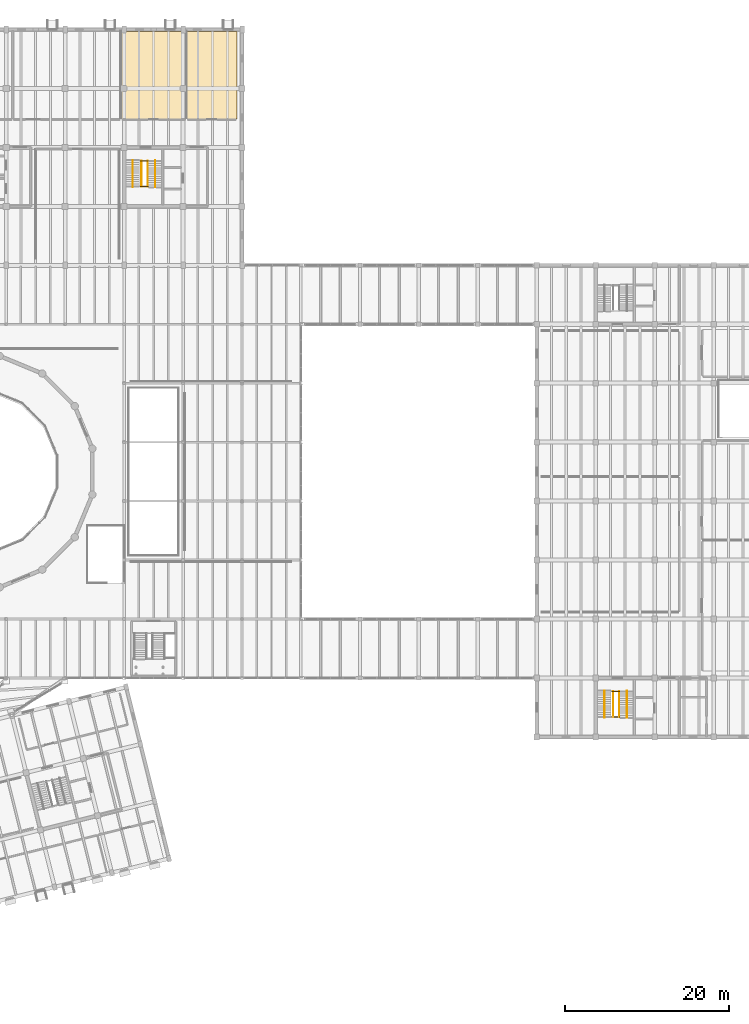
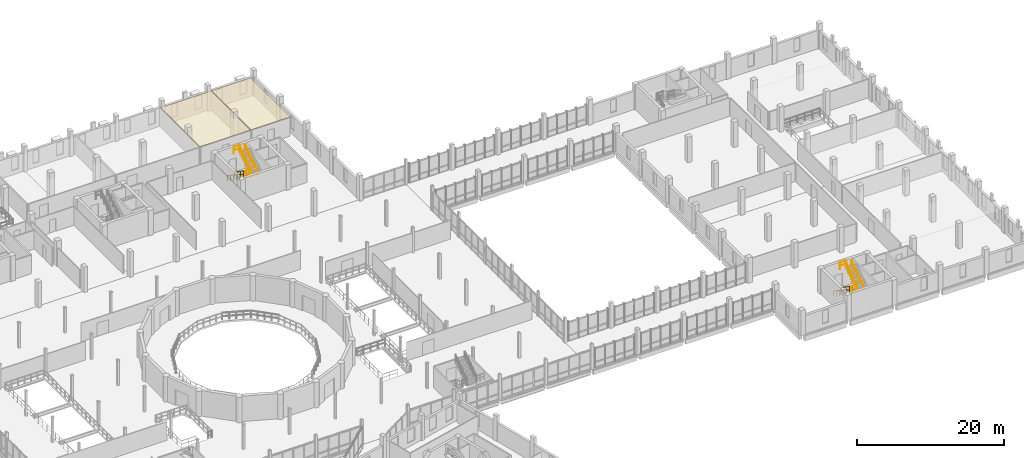
# One storey, part 71 of 72: 12 railings, 2 coverings.
"""IFC4 building model written with IfcOpenShell, lengths in metres."""

import ifcopenshell
import ifcopenshell.guid

model = None  # the IFC model being written
_history = None  # IfcOwnerHistory: only IFC2X3 demands one
_inside = {}  # id of a spatial element -> (the spatial element, [elements in it])
_under = {}  # id of a project, library or spatial element -> (it, [spatial elements below it])
_declared = {}  # id of a project -> (the project, [libraries it declares])
_typed = {}  # id of a type object -> (the type object, [elements of that type])
_made_of = {}  # id of a material, layer set ... -> (it, [elements and type objects made of it])


def new_model(schema):
    """Start an empty IFC model of exactly this schema.

    Asked for "IFC4X3", IfcOpenShell would pick the latest addendum, in which some entities
    have other attributes; the version numbers below select the first issue.
    IFC2X3 requires an IfcOwnerHistory on every rooted entity: one is made here for all.
    """
    global model, _history
    if schema == "IFC4X3":
        model = ifcopenshell.file(schema_version=(4, 3, 0, 0))
    else:
        model = ifcopenshell.file(schema=schema)
    _inside.clear()
    _under.clear()
    _declared.clear()
    _typed.clear()
    _made_of.clear()
    _history = None
    if model.schema == "IFC2X3":
        org = make("IfcOrganization", Name="unknown")
        user = make(
            "IfcPersonAndOrganization",
            ThePerson=make("IfcPerson", FamilyName="unknown"),
            TheOrganization=org,
        )
        app = make(
            "IfcApplication",
            ApplicationDeveloper=org,
            Version="unknown",
            ApplicationFullName="unknown",
            ApplicationIdentifier="unknown",
        )
        _history = make(
            "IfcOwnerHistory",
            OwningUser=user,
            OwningApplication=app,
            ChangeAction="ADDED",
            CreationDate=0,
        )
    return model


def make(cls, **values):
    """One entity of the class cls with the attributes given. An attribute that is None is left unset."""
    return model.create_entity(
        cls, **{name: value for name, value in values.items() if value is not None}
    )


def rooted(cls, **values):
    """An entity with a GlobalId (a new one), such as an element, a storey or a relation."""
    return make(cls, GlobalId=ifcopenshell.guid.new(), OwnerHistory=_history, **values)


def si_unit(unit_type, name, prefix=None):
    """IfcSIUnit, for example si_unit("LENGTHUNIT", "METRE", prefix="MILLI")."""
    return make("IfcSIUnit", UnitType=unit_type, Prefix=prefix, Name=name)


def assignment(units):
    """IfcUnitAssignment: the units of a project."""
    return None if units is None else make("IfcUnitAssignment", Units=units)


def point(xyz):
    """IfcCartesianPoint."""
    return None if xyz is None else make("IfcCartesianPoint", Coordinates=xyz)


def direction(xyz):
    """IfcDirection."""
    return None if xyz is None else make("IfcDirection", DirectionRatios=xyz)


def frame(location, z_axis=None, x_axis=None):
    """IfcAxis2Placement3D, a coordinate frame: its origin and axes. An axis left out is left unset."""
    return make(
        "IfcAxis2Placement3D",
        Location=point(location),
        Axis=direction(z_axis),
        RefDirection=direction(x_axis),
    )


def frame_2d(location, x_axis=None):
    """IfcAxis2Placement2D, a coordinate frame in the plane: its origin and x axis."""
    return make(
        "IfcAxis2Placement2D", Location=point(location), RefDirection=direction(x_axis)
    )


def origin():
    """The frame at (0, 0, 0) with its axes left unset."""
    return frame((0.0, 0.0, 0.0))


def origin_2d():
    """The frame at (0, 0) in the plane with its x axis left unset."""
    return frame_2d((0.0, 0.0))


def place(relative_to, where):
    """IfcLocalPlacement: puts the frame where relative to a parent placement (None: the world)."""
    return make(
        "IfcLocalPlacement", PlacementRelTo=relative_to, RelativePlacement=where
    )


def context(
    kind, dimensions, precision=None, world=None, true_north=None, identifier=None
):
    """IfcGeometricRepresentationContext, for example the 3D "Model" context."""
    return make(
        "IfcGeometricRepresentationContext",
        ContextIdentifier=identifier,
        ContextType=kind,
        CoordinateSpaceDimension=dimensions,
        Precision=precision,
        WorldCoordinateSystem=world,
        TrueNorth=true_north,
    )


def subcontext(parent, identifier, kind, view, scale=None):
    """IfcGeometricRepresentationSubContext, for example "Body" below "Model"."""
    return make(
        "IfcGeometricRepresentationSubContext",
        ContextIdentifier=identifier,
        ContextType=kind,
        ParentContext=parent,
        TargetScale=scale,
        TargetView=view,
    )


def project(units=None, contexts=None):
    """IfcProject with its units and contexts."""
    return rooted(
        "IfcProject",
        Name="project",
        RepresentationContexts=contexts,
        UnitsInContext=assignment(units),
    )


def spatial(cls, under=None, at=None, **own):
    """A site, building, storey or space (cls), placed at a placement, below another one or the project."""
    s = rooted(cls, ObjectPlacement=at, **own)
    if under is not None:
        _under.setdefault(under.id(), (under, []))[1].append(s)
    return s


def polyline(points):
    """IfcPolyline through the points."""
    return make("IfcPolyline", Points=[point(p) for p in points])


def profile(cls, at=None, kind="AREA", **sizes):
    """A parametric profile (cls). Its sizes go by their IFC names, for example OverallWidth=200.0."""
    return make(cls, ProfileType=kind, Position=at, **sizes)


def circle(**sizes):
    """IfcCircleProfileDef."""
    return profile("IfcCircleProfileDef", **sizes)


def outline(outer, holes=None, kind="AREA"):
    """IfcArbitraryClosedProfileDef: a profile drawn as a closed curve; with holes, ...WithVoids."""
    if holes is None:
        return make("IfcArbitraryClosedProfileDef", ProfileType=kind, OuterCurve=outer)
    return make(
        "IfcArbitraryProfileDefWithVoids",
        ProfileType=kind,
        OuterCurve=outer,
        InnerCurves=holes,
    )


def extrude(swept, where, along, depth):
    """IfcExtrudedAreaSolid: the profile swept, set in the frame where, extruded along a direction by depth."""
    return make(
        "IfcExtrudedAreaSolid",
        SweptArea=swept,
        Position=where,
        ExtrudedDirection=direction(along),
        Depth=depth,
    )


def shape(context_of_items, identifier, shape_type, items):
    """IfcShapeRepresentation: the items that make up one representation, for example the "Body"."""
    return make(
        "IfcShapeRepresentation",
        ContextOfItems=context_of_items,
        RepresentationIdentifier=identifier,
        RepresentationType=shape_type,
        Items=items,
    )


def material(Name=None, Category=None):
    """IfcMaterial."""
    return make("IfcMaterial", Name=Name, Category=Category)


def layer(
    of_material, thickness, ventilated=None, Name=None, Category=None, Priority=None
):
    """IfcMaterialLayer: one layer of a wall or slab, of a material (None: an air gap)."""
    return make(
        "IfcMaterialLayer",
        Material=of_material,
        LayerThickness=thickness,
        IsVentilated=ventilated,
        Name=Name,
        Category=Category,
        Priority=Priority,
    )


def layer_set(layers, Name=None):
    """IfcMaterialLayerSet."""
    return make("IfcMaterialLayerSet", MaterialLayers=layers, LayerSetName=Name)


def made_of(thing, what):
    """Note that an element or type object is made of a material, layer set ...; save() writes the relation."""
    if what is not None:
        _made_of.setdefault(what.id(), (what, []))[1].append(thing)
    return thing


def type_object(cls, material=None, **own):
    """A type object (cls), such as IfcWallType, which elements share."""
    return made_of(rooted(cls, **own), material)


def element(
    cls,
    number,
    at=None,
    inside=None,
    cuts=None,
    type_object=None,
    material=None,
    context=None,
    identifier="Body",
    shape_type=None,
    held_by="IfcProductDefinitionShape",
    body=None,
    shapes=None,
    **own,
):
    """One element of the class cls, such as IfcWall. Its Tag is "e" and its number.

    at: its placement. inside: the storey or other place that contains it. cuts: it is an
    opening in that element (IfcRelVoidsElement). A single representation is given by context,
    identifier, shape_type and body (its items); several are given by shapes. held_by: the class
    of the entity that holds the representations. save() writes the other relations.
    """
    e = rooted(cls, Tag="e%d" % number, ObjectPlacement=at, **own)
    if body is not None:
        shapes = [shape(context, identifier, shape_type, body)]
    if shapes is not None:
        e.Representation = make(held_by, Representations=shapes)
    if inside is not None:
        _inside.setdefault(inside.id(), (inside, []))[1].append(e)
    if cuts is not None:
        rooted(
            "IfcRelVoidsElement", RelatingBuildingElement=cuts, RelatedOpeningElement=e
        )
    if type_object is not None:
        _typed.setdefault(type_object.id(), (type_object, []))[1].append(e)
    return made_of(e, material)


def aggregate(whole, parts):
    """IfcRelAggregates: a whole, such as a stair, and the parts it consists of."""
    return rooted("IfcRelAggregates", RelatingObject=whole, RelatedObjects=parts)


def save(model, path):
    """Write the relations noted so far, then the file.

    IfcRelAggregates (storeys below a building ...), IfcRelContainedInSpatialStructure (elements
    in a storey), IfcRelDefinesByType, IfcRelAssociatesMaterial and IfcRelDeclares: one each for
    every whole, place, type object, material and project.
    """
    for whole, parts in _under.values():
        aggregate(whole, parts)
    for where, things in _inside.values():
        rooted(
            "IfcRelContainedInSpatialStructure",
            RelatedElements=things,
            RelatingStructure=where,
        )
    for kind, things in _typed.values():
        rooted("IfcRelDefinesByType", RelatedObjects=things, RelatingType=kind)
    for what, things in _made_of.values():
        rooted("IfcRelAssociatesMaterial", RelatedObjects=things, RelatingMaterial=what)
    for by, libraries in _declared.values():
        rooted("IfcRelDeclares", RelatingContext=by, RelatedDefinitions=libraries)
    model.write(path)


model = new_model("IFC4")

# Units and contexts
model_context = context("Model", 3, precision=1e-05, world=origin(), true_north=direction((0.0, 1.0)))
body_context = subcontext(model_context, "Body", "Model", "MODEL_VIEW")
ifc_project = project(units=[si_unit("LENGTHUNIT", "METRE"), si_unit("AREAUNIT", "SQUARE_METRE"), si_unit("VOLUMEUNIT", "CUBIC_METRE"), si_unit("PLANEANGLEUNIT", "RADIAN"), si_unit("MASSUNIT", "GRAM", prefix="KILO")], contexts=[model_context])

# Site, building, storey
site_placement = place(None, origin())
site = spatial("IfcSite", under=ifc_project, at=site_placement, CompositionType="ELEMENT")
building_placement = place(site_placement, origin())
building = spatial("IfcBuilding", under=site, at=building_placement, Name="Qiaolan Assembly House", CompositionType="ELEMENT")
storey_placement = place(building_placement, frame((0.0, 0.0, 10.199951171875)))
storey = spatial("IfcBuildingStorey", under=building, at=storey_placement, Name="L02", CompositionType="ELEMENT", Elevation=10.199951171875)

# Coverings
ifc_material_1 = material(Name="Gypsum plasterboard acoustic ceiling")
ifc_layer = layer(ifc_material_1, 0.044921875)
ifc_layer_set = layer_set([ifc_layer], Name="Gypsum plasterboard acoustic ceiling")
covering_type = type_object("IfcCoveringType", Name="COV-CEIL-ACOUSTIC", PredefinedType="CEILING", material=ifc_layer_set)
covering_1_placement = place(storey_placement, frame((0.0, 0.0, 3.03515625)))
element("IfcCovering", 1, at=covering_1_placement, inside=storey, type_object=covering_type, Name="Suspended ceiling Civic Policy Research & Analytics Studio", PredefinedType="CEILING", context=body_context, shape_type="SweptSolid", body=[
    extrude(outline(polyline([(86.0400390625, 104.239990234375), (93.9599609375, 104.239990234375), (93.9599609375, 114.949951171875), (86.0400390625, 114.949951171875), (86.0400390625, 104.239990234375)])), origin(), (0.0, 0.0, 1.0), 0.044921875),
])
covering_2_placement = place(storey_placement, frame((0.0, 0.0, 3.03515625)))
element("IfcCovering", 2, at=covering_2_placement, inside=storey, type_object=covering_type, Name="Suspended ceiling Members Briefing Pantry & Tea Room", PredefinedType="CEILING", context=body_context, shape_type="SweptSolid", body=[
    extrude(outline(polyline([(94.0400390625, 104.239990234375), (100.159912109375, 104.239990234375), (100.159912109375, 114.949951171875), (94.0400390625, 114.949951171875), (94.0400390625, 104.239990234375)])), origin(), (0.0, 0.0, 1.0), 0.044921875),
])

# Railings
ifc_material_2 = material(Name="Anodised bronze aluminium", Category="aluminium")
railing_type_1 = type_object("IfcRailingType", Name="RAL-GUARD-STAIRWELL-1150", PredefinedType="GUARDRAIL", material=ifc_material_2)
railing_1_placement = place(storey_placement, frame((88.5400390625, 99.14990234375, 0.0)))
element("IfcRailing", 3, at=railing_1_placement, inside=storey, type_object=railing_type_1, Name="GR-01 stair inner-well guard FLT-CORE-G-L02-1", PredefinedType="GUARDRAIL", context=body_context, shape_type="SweptSolid", body=[
    extrude(circle(Radius=0.02392578125, at=origin_2d()), frame((0.0, 0.0, 1.1259765625), z_axis=(0.0, -0.829565193945, 0.558409875445), x_axis=(1.0, 0.0, 0.0)), (0.0, 0.0, 1.0), 3.7607421875),
    extrude(circle(Radius=0.01611328125, at=origin_2d()), frame((0.0, 0.0, 0.574951171875), z_axis=(0.0, -0.829565193945, 0.558409875445), x_axis=(1.0, 0.0, 0.0)), (0.0, 0.0, 1.0), 3.7607421875),
    extrude(circle(Radius=0.02099609375, at=origin_2d()), origin(), (0.0, 0.0, 1.0), 1.101806640625),
    extrude(circle(Radius=0.02099609375, at=origin_2d()), frame((0.0, -0.780029296875, 0.52490234375)), (0.0, 0.0, 1.0), 1.101806640625),
    extrude(circle(Radius=0.02099609375, at=origin_2d()), frame((0.0, -1.56005859375, 1.050048828125)), (0.0, 0.0, 1.0), 1.101806640625),
    extrude(circle(Radius=0.02099609375, at=origin_2d()), frame((0.0, -2.33984375, 1.5751953125)), (0.0, 0.0, 1.0), 1.101806640625),
    extrude(circle(Radius=0.02099609375, at=origin_2d()), frame((0.0, -3.119873046875, 2.10009765625)), (0.0, 0.0, 1.0), 1.101806640625),
])
railing_2_placement = place(storey_placement, frame((89.280029296875, 96.030029296875, 2.10009765625)))
element("IfcRailing", 4, at=railing_2_placement, inside=storey, type_object=railing_type_1, Name="GR-01 stair inner-well guard FLT-CORE-G-L02-2", PredefinedType="GUARDRAIL", context=body_context, shape_type="SweptSolid", body=[
    extrude(circle(Radius=0.02392578125, at=origin_2d()), frame((0.0, 0.0, 1.1259765625), z_axis=(0.0, 0.829595265483, 0.558365199031), x_axis=(-1.0, 0.0, 0.0)), (0.0, 0.0, 1.0), 3.7607421875),
    extrude(circle(Radius=0.01611328125, at=origin_2d()), frame((0.0, 0.0, 0.574951171875), z_axis=(0.0, 0.829595265483, 0.558365199031), x_axis=(-1.0, 0.0, 0.0)), (0.0, 0.0, 1.0), 3.7607421875),
    extrude(circle(Radius=0.02099609375, at=origin_2d()), origin(), (0.0, 0.0, 1.0), 1.101806640625),
    extrude(circle(Radius=0.02099609375, at=origin_2d()), frame((0.0, 0.780029296875, 0.52490234375)), (0.0, 0.0, 1.0), 1.101806640625),
    extrude(circle(Radius=0.02099609375, at=origin_2d()), frame((0.0, 1.56005859375, 1.0498046875)), (0.0, 0.0, 1.0), 1.101806640625),
    extrude(circle(Radius=0.02099609375, at=origin_2d()), frame((0.0, 2.33984375, 1.574951171875)), (0.0, 0.0, 1.0), 1.101806640625),
    extrude(circle(Radius=0.02099609375, at=origin_2d()), frame((0.0, 3.119873046875, 2.099853515625)), (0.0, 0.0, 1.0), 1.101806640625),
])
for number, where, name in (
    (5, (88.3798828125, 96.030029296875, 2.10009765625), "GR-01 stairwell landing guard CORE-G L02-1"),
    (6, (88.3798828125, 99.14990234375, 4.199951171875), "GR-01 stairwell landing guard CORE-G L02-2"),
):
    element("IfcRailing", number, at=place(storey_placement, frame(where)), inside=storey, type_object=railing_type_1, Name=name, PredefinedType="GUARDRAIL", context=body_context, shape_type="SweptSolid", body=[
        extrude(circle(Radius=0.02392578125, at=origin_2d()), frame((0.0, 0.0, 1.1259765625), z_axis=(1.0, 0.0, 0.0), x_axis=(0.0, 1.0, 0.0)), (0.0, 0.0, 1.0), 0.920166015625),
        extrude(circle(Radius=0.01611328125, at=origin_2d()), frame((0.0, 0.0, 0.574951171875), z_axis=(1.0, 0.0, 0.0), x_axis=(0.0, 1.0, 0.0)), (0.0, 0.0, 1.0), 0.920166015625),
        extrude(circle(Radius=0.02099609375, at=origin_2d()), origin(), (0.0, 0.0, 1.0), 1.101806640625),
        extrude(circle(Radius=0.02099609375, at=origin_2d()), frame((0.920166015625, 0.0, 0.0)), (0.0, 0.0, 1.0), 1.101806640625),
    ])
railing_3_placement = place(storey_placement, frame((146.139892578125, 34.35009765625, 0.0)))
element("IfcRailing", 7, at=railing_3_placement, inside=storey, type_object=railing_type_1, Name="GR-01 stair inner-well guard FLT-CORE-E-L02-1", PredefinedType="GUARDRAIL", context=body_context, shape_type="SweptSolid", body=[
    extrude(circle(Radius=0.02392578125, at=origin_2d()), frame((0.0, 0.0, 1.1259765625), z_axis=(0.0, -0.829585434609, 0.558379805047), x_axis=(1.0, 0.0, 0.0)), (0.0, 0.0, 1.0), 3.760986328125),
    extrude(circle(Radius=0.01611328125, at=origin_2d()), frame((0.0, 0.0, 0.574951171875), z_axis=(0.0, -0.829585434609, 0.558379805047), x_axis=(1.0, 0.0, 0.0)), (0.0, 0.0, 1.0), 3.760986328125),
    extrude(circle(Radius=0.02099609375, at=origin_2d()), origin(), (0.0, 0.0, 1.0), 1.101806640625),
    extrude(circle(Radius=0.02099609375, at=origin_2d()), frame((0.0, -0.780029296875, 0.52490234375)), (0.0, 0.0, 1.0), 1.101806640625),
    extrude(circle(Radius=0.02099609375, at=origin_2d()), frame((0.0, -1.56005859375, 1.050048828125)), (0.0, 0.0, 1.0), 1.101806640625),
    extrude(circle(Radius=0.02099609375, at=origin_2d()), frame((0.0, -2.340087890625, 1.5751953125)), (0.0, 0.0, 1.0), 1.101806640625),
    extrude(circle(Radius=0.02099609375, at=origin_2d()), frame((0.0, -3.1201171875, 2.10009765625)), (0.0, 0.0, 1.0), 1.101806640625),
])
railing_4_placement = place(storey_placement, frame((146.8798828125, 31.22998046875, 2.10009765625)))
element("IfcRailing", 8, at=railing_4_placement, inside=storey, type_object=railing_type_1, Name="GR-01 stair inner-well guard FLT-CORE-E-L02-2", PredefinedType="GUARDRAIL", context=body_context, shape_type="SweptSolid", body=[
    extrude(circle(Radius=0.02392578125, at=origin_2d()), frame((0.0, 0.0, 1.1259765625), z_axis=(0.0, 0.829615503641, 0.558335128859), x_axis=(-1.0, 0.0, 0.0)), (0.0, 0.0, 1.0), 3.760986328125),
    extrude(circle(Radius=0.01611328125, at=origin_2d()), frame((0.0, 0.0, 0.574951171875), z_axis=(0.0, 0.829615503641, 0.558335128859), x_axis=(-1.0, 0.0, 0.0)), (0.0, 0.0, 1.0), 3.760986328125),
    extrude(circle(Radius=0.02099609375, at=origin_2d()), origin(), (0.0, 0.0, 1.0), 1.101806640625),
    extrude(circle(Radius=0.02099609375, at=origin_2d()), frame((0.0, 0.780029296875, 0.52490234375)), (0.0, 0.0, 1.0), 1.101806640625),
    extrude(circle(Radius=0.02099609375, at=origin_2d()), frame((0.0, 1.56005859375, 1.0498046875)), (0.0, 0.0, 1.0), 1.101806640625),
    extrude(circle(Radius=0.02099609375, at=origin_2d()), frame((0.0, 2.340087890625, 1.574951171875)), (0.0, 0.0, 1.0), 1.101806640625),
    extrude(circle(Radius=0.02099609375, at=origin_2d()), frame((0.0, 3.1201171875, 2.099853515625)), (0.0, 0.0, 1.0), 1.101806640625),
])
for number, where, name in (
    (9, (145.97998046875, 31.22998046875, 2.10009765625), "GR-01 stairwell landing guard CORE-E L02-1"),
    (10, (145.97998046875, 34.35009765625, 4.199951171875), "GR-01 stairwell landing guard CORE-E L02-2"),
):
    element("IfcRailing", number, at=place(storey_placement, frame(where)), inside=storey, type_object=railing_type_1, Name=name, PredefinedType="GUARDRAIL", context=body_context, shape_type="SweptSolid", body=[
        extrude(circle(Radius=0.02392578125, at=origin_2d()), frame((0.0, 0.0, 1.1259765625), z_axis=(1.0, 0.0, 0.0), x_axis=(0.0, 1.0, 0.0)), (0.0, 0.0, 1.0), 0.919921875),
        extrude(circle(Radius=0.01611328125, at=origin_2d()), frame((0.0, 0.0, 0.574951171875), z_axis=(1.0, 0.0, 0.0), x_axis=(0.0, 1.0, 0.0)), (0.0, 0.0, 1.0), 0.919921875),
        extrude(circle(Radius=0.02099609375, at=origin_2d()), origin(), (0.0, 0.0, 1.0), 1.101806640625),
        extrude(circle(Radius=0.02099609375, at=origin_2d()), frame((0.919921875, 0.0, 0.0)), (0.0, 0.0, 1.0), 1.101806640625),
    ])
railing_type_2 = type_object("IfcRailingType", Name="RAL-HANDRAIL-STAIR-920", PredefinedType="HANDRAIL", material=ifc_material_2)
railing_5_placement = place(storey_placement, frame((87.449951171875, 99.2099609375, 0.0)))
element("IfcRailing", 11, at=railing_5_placement, inside=storey, type_object=railing_type_2, Name="HR-01 stair handrail FLT-CORE-G-L02-1", PredefinedType="HANDRAIL", context=body_context, shape_type="SweptSolid", body=[
    extrude(circle(Radius=0.02392578125, at=origin_2d()), frame((0.0, 0.0, 0.89599609375), z_axis=(0.0, -0.839140694364, 0.543914418877), x_axis=(1.0, 0.0, 0.0)), (0.0, 0.0, 1.0), 3.861083984375),
    extrude(circle(Radius=0.02099609375, at=origin_2d()), origin(), (0.0, 0.0, 1.0), 0.871826171875),
    extrude(circle(Radius=0.02099609375, at=origin_2d()), frame((0.0, -0.81005859375, 0.52490234375)), (0.0, 0.0, 1.0), 0.871826171875),
    extrude(circle(Radius=0.02099609375, at=origin_2d()), frame((0.0, -1.6201171875, 1.050048828125)), (0.0, 0.0, 1.0), 0.871826171875),
    extrude(circle(Radius=0.02099609375, at=origin_2d()), frame((0.0, -2.429931640625, 1.5751953125)), (0.0, 0.0, 1.0), 0.871826171875),
    extrude(circle(Radius=0.02099609375, at=origin_2d()), frame((0.0, -3.239990234375, 2.10009765625)), (0.0, 0.0, 1.0), 0.871826171875),
])
railing_6_placement = place(storey_placement, frame((90.199951171875, 95.969970703125, 2.10009765625)))
element("IfcRailing", 12, at=railing_6_placement, inside=storey, type_object=railing_type_2, Name="HR-01 stair handrail FLT-CORE-G-L02-2", PredefinedType="HANDRAIL", context=body_context, shape_type="SweptSolid", body=[
    extrude(circle(Radius=0.02392578125, at=origin_2d()), frame((0.0, 0.0, 0.89599609375), z_axis=(0.0, 0.839169554186, 0.543869891911), x_axis=(-1.0, 0.0, 0.0)), (0.0, 0.0, 1.0), 3.86083984375),
    extrude(circle(Radius=0.02099609375, at=origin_2d()), origin(), (0.0, 0.0, 1.0), 0.871826171875),
    extrude(circle(Radius=0.02099609375, at=origin_2d()), frame((0.0, 0.81005859375, 0.52490234375)), (0.0, 0.0, 1.0), 0.871826171875),
    extrude(circle(Radius=0.02099609375, at=origin_2d()), frame((0.0, 1.6201171875, 1.0498046875)), (0.0, 0.0, 1.0), 0.871826171875),
    extrude(circle(Radius=0.02099609375, at=origin_2d()), frame((0.0, 2.429931640625, 1.574951171875)), (0.0, 0.0, 1.0), 0.871826171875),
    extrude(circle(Radius=0.02099609375, at=origin_2d()), frame((0.0, 3.239990234375, 2.099853515625)), (0.0, 0.0, 1.0), 0.871826171875),
])
railing_7_placement = place(storey_placement, frame((145.050048828125, 34.409912109375, 0.0)))
element("IfcRailing", 13, at=railing_7_placement, inside=storey, type_object=railing_type_2, Name="HR-01 stair handrail FLT-CORE-E-L02-1", PredefinedType="HANDRAIL", context=body_context, shape_type="SweptSolid", body=[
    extrude(circle(Radius=0.02392578125, at=origin_2d()), frame((0.0, 0.0, 0.89599609375), z_axis=(0.0, -0.839140694364, 0.543914418877), x_axis=(1.0, 0.0, 0.0)), (0.0, 0.0, 1.0), 3.861083984375),
    extrude(circle(Radius=0.02099609375, at=origin_2d()), origin(), (0.0, 0.0, 1.0), 0.871826171875),
    extrude(circle(Radius=0.02099609375, at=origin_2d()), frame((0.0, -0.81005859375, 0.52490234375)), (0.0, 0.0, 1.0), 0.871826171875),
    extrude(circle(Radius=0.02099609375, at=origin_2d()), frame((0.0, -1.6201171875, 1.050048828125)), (0.0, 0.0, 1.0), 0.871826171875),
    extrude(circle(Radius=0.02099609375, at=origin_2d()), frame((0.0, -2.429931640625, 1.5751953125)), (0.0, 0.0, 1.0), 0.871826171875),
    extrude(circle(Radius=0.02099609375, at=origin_2d()), frame((0.0, -3.239990234375, 2.10009765625)), (0.0, 0.0, 1.0), 0.871826171875),
])
railing_8_placement = place(storey_placement, frame((147.800048828125, 31.169921875, 2.10009765625)))
element("IfcRailing", 14, at=railing_8_placement, inside=storey, type_object=railing_type_2, Name="HR-01 stair handrail FLT-CORE-E-L02-2", PredefinedType="HANDRAIL", context=body_context, shape_type="SweptSolid", body=[
    extrude(circle(Radius=0.02392578125, at=origin_2d()), frame((0.0, 0.0, 0.89599609375), z_axis=(0.0, 0.839169554186, 0.543869891911), x_axis=(-1.0, 0.0, 0.0)), (0.0, 0.0, 1.0), 3.86083984375),
    extrude(circle(Radius=0.02099609375, at=origin_2d()), origin(), (0.0, 0.0, 1.0), 0.871826171875),
    extrude(circle(Radius=0.02099609375, at=origin_2d()), frame((0.0, 0.81005859375, 0.52490234375)), (0.0, 0.0, 1.0), 0.871826171875),
    extrude(circle(Radius=0.02099609375, at=origin_2d()), frame((0.0, 1.6201171875, 1.0498046875)), (0.0, 0.0, 1.0), 0.871826171875),
    extrude(circle(Radius=0.02099609375, at=origin_2d()), frame((0.0, 2.429931640625, 1.574951171875)), (0.0, 0.0, 1.0), 0.871826171875),
    extrude(circle(Radius=0.02099609375, at=origin_2d()), frame((0.0, 3.239990234375, 2.099853515625)), (0.0, 0.0, 1.0), 0.871826171875),
])

save(model, "model.ifc")
